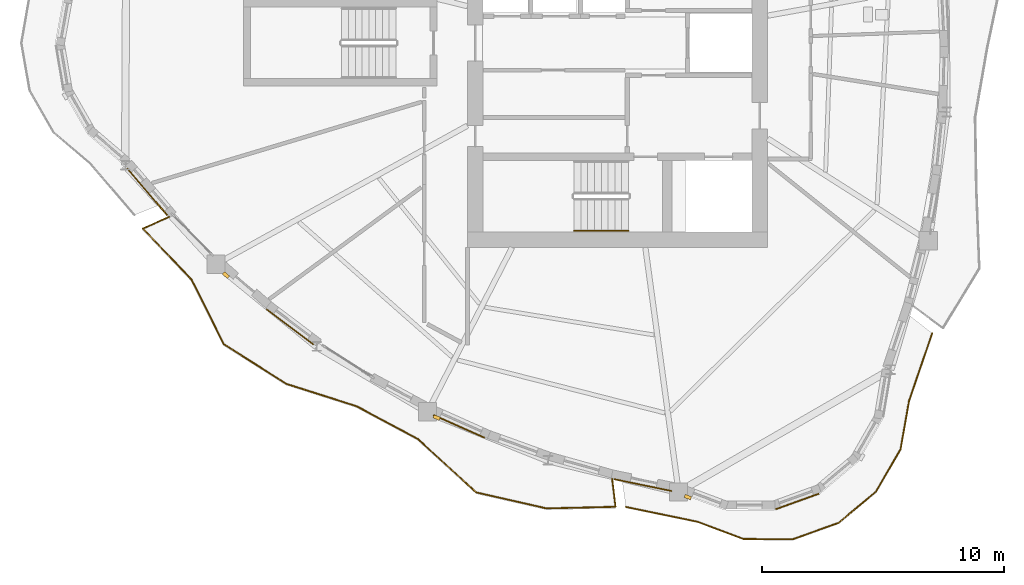
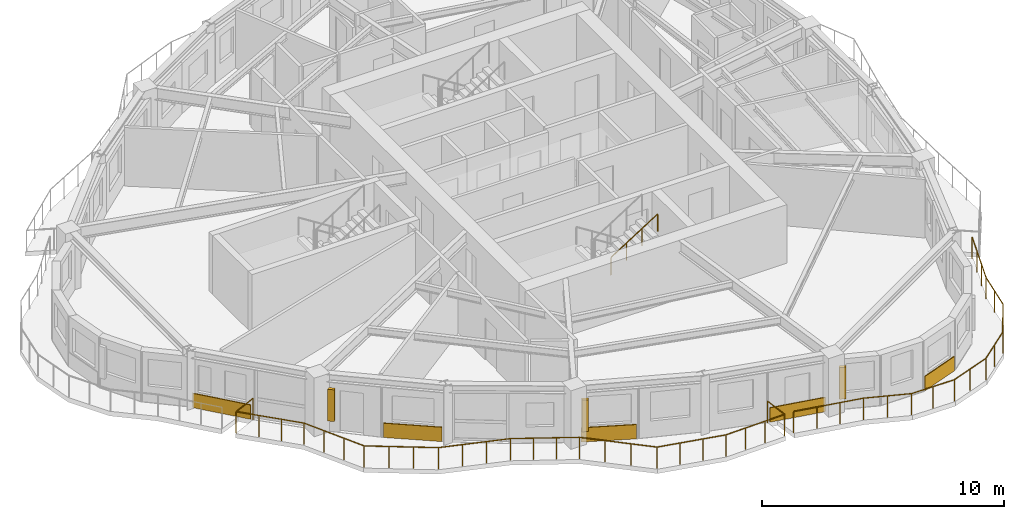
# One storey, part 10 of 13: 5 coverings, 3 railings, 3 shading devices.
"""IFC4 building model written with IfcOpenShell, lengths in metres."""

import ifcopenshell
import ifcopenshell.guid

model = None  # the IFC model being written
_history = None  # IfcOwnerHistory: only IFC2X3 demands one
_inside = {}  # id of a spatial element -> (the spatial element, [elements in it])
_under = {}  # id of a project, library or spatial element -> (it, [spatial elements below it])
_declared = {}  # id of a project -> (the project, [libraries it declares])
_typed = {}  # id of a type object -> (the type object, [elements of that type])
_made_of = {}  # id of a material, layer set ... -> (it, [elements and type objects made of it])


def new_model(schema):
    """Start an empty IFC model of exactly this schema.

    Asked for "IFC4X3", IfcOpenShell would pick the latest addendum, in which some entities
    have other attributes; the version numbers below select the first issue.
    IFC2X3 requires an IfcOwnerHistory on every rooted entity: one is made here for all.
    """
    global model, _history
    if schema == "IFC4X3":
        model = ifcopenshell.file(schema_version=(4, 3, 0, 0))
    else:
        model = ifcopenshell.file(schema=schema)
    _inside.clear()
    _under.clear()
    _declared.clear()
    _typed.clear()
    _made_of.clear()
    _history = None
    if model.schema == "IFC2X3":
        org = make("IfcOrganization", Name="unknown")
        user = make(
            "IfcPersonAndOrganization",
            ThePerson=make("IfcPerson", FamilyName="unknown"),
            TheOrganization=org,
        )
        app = make(
            "IfcApplication",
            ApplicationDeveloper=org,
            Version="unknown",
            ApplicationFullName="unknown",
            ApplicationIdentifier="unknown",
        )
        _history = make(
            "IfcOwnerHistory",
            OwningUser=user,
            OwningApplication=app,
            ChangeAction="ADDED",
            CreationDate=0,
        )
    return model


def make(cls, **values):
    """One entity of the class cls with the attributes given. An attribute that is None is left unset."""
    return model.create_entity(
        cls, **{name: value for name, value in values.items() if value is not None}
    )


def rooted(cls, **values):
    """An entity with a GlobalId (a new one), such as an element, a storey or a relation."""
    return make(cls, GlobalId=ifcopenshell.guid.new(), OwnerHistory=_history, **values)


def si_unit(unit_type, name, prefix=None):
    """IfcSIUnit, for example si_unit("LENGTHUNIT", "METRE", prefix="MILLI")."""
    return make("IfcSIUnit", UnitType=unit_type, Prefix=prefix, Name=name)


def assignment(units):
    """IfcUnitAssignment: the units of a project."""
    return None if units is None else make("IfcUnitAssignment", Units=units)


def point(xyz):
    """IfcCartesianPoint."""
    return None if xyz is None else make("IfcCartesianPoint", Coordinates=xyz)


def direction(xyz):
    """IfcDirection."""
    return None if xyz is None else make("IfcDirection", DirectionRatios=xyz)


def frame(location, z_axis=None, x_axis=None):
    """IfcAxis2Placement3D, a coordinate frame: its origin and axes. An axis left out is left unset."""
    return make(
        "IfcAxis2Placement3D",
        Location=point(location),
        Axis=direction(z_axis),
        RefDirection=direction(x_axis),
    )


def frame_2d(location, x_axis=None):
    """IfcAxis2Placement2D, a coordinate frame in the plane: its origin and x axis."""
    return make(
        "IfcAxis2Placement2D", Location=point(location), RefDirection=direction(x_axis)
    )


def origin():
    """The frame at (0, 0, 0) with its axes left unset."""
    return frame((0.0, 0.0, 0.0))


def origin_2d():
    """The frame at (0, 0) in the plane with its x axis left unset."""
    return frame_2d((0.0, 0.0))


def place(relative_to, where):
    """IfcLocalPlacement: puts the frame where relative to a parent placement (None: the world)."""
    return make(
        "IfcLocalPlacement", PlacementRelTo=relative_to, RelativePlacement=where
    )


def context(
    kind, dimensions, precision=None, world=None, true_north=None, identifier=None
):
    """IfcGeometricRepresentationContext, for example the 3D "Model" context."""
    return make(
        "IfcGeometricRepresentationContext",
        ContextIdentifier=identifier,
        ContextType=kind,
        CoordinateSpaceDimension=dimensions,
        Precision=precision,
        WorldCoordinateSystem=world,
        TrueNorth=true_north,
    )


def subcontext(parent, identifier, kind, view, scale=None):
    """IfcGeometricRepresentationSubContext, for example "Body" below "Model"."""
    return make(
        "IfcGeometricRepresentationSubContext",
        ContextIdentifier=identifier,
        ContextType=kind,
        ParentContext=parent,
        TargetScale=scale,
        TargetView=view,
    )


def project(units=None, contexts=None):
    """IfcProject with its units and contexts."""
    return rooted(
        "IfcProject",
        Name="project",
        RepresentationContexts=contexts,
        UnitsInContext=assignment(units),
    )


def spatial(cls, under=None, at=None, **own):
    """A site, building, storey or space (cls), placed at a placement, below another one or the project."""
    s = rooted(cls, ObjectPlacement=at, **own)
    if under is not None:
        _under.setdefault(under.id(), (under, []))[1].append(s)
    return s


def profile(cls, at=None, kind="AREA", **sizes):
    """A parametric profile (cls). Its sizes go by their IFC names, for example OverallWidth=200.0."""
    return make(cls, ProfileType=kind, Position=at, **sizes)


def rectangle(**sizes):
    """IfcRectangleProfileDef."""
    return profile("IfcRectangleProfileDef", **sizes)


def circle(**sizes):
    """IfcCircleProfileDef."""
    return profile("IfcCircleProfileDef", **sizes)


def extrude(swept, where, along, depth):
    """IfcExtrudedAreaSolid: the profile swept, set in the frame where, extruded along a direction by depth."""
    return make(
        "IfcExtrudedAreaSolid",
        SweptArea=swept,
        Position=where,
        ExtrudedDirection=direction(along),
        Depth=depth,
    )


def shape(context_of_items, identifier, shape_type, items):
    """IfcShapeRepresentation: the items that make up one representation, for example the "Body"."""
    return make(
        "IfcShapeRepresentation",
        ContextOfItems=context_of_items,
        RepresentationIdentifier=identifier,
        RepresentationType=shape_type,
        Items=items,
    )


def source(mapping_origin, context_of_items, identifier, shape_type, items):
    """IfcRepresentationMap: a shape defined once, which mapped items show again and again."""
    return make(
        "IfcRepresentationMap",
        MappingOrigin=mapping_origin,
        MappedRepresentation=shape(context_of_items, identifier, shape_type, items),
    )


def transform(
    local_origin,
    x_axis=None,
    y_axis=None,
    z_axis=None,
    scale=None,
    scale2=None,
    scale3=None,
    uniform=True,
):
    """IfcCartesianTransformationOperator3D, or its non-uniform kind. x_axis, y_axis, z_axis: its Axis1, 2, 3."""
    if uniform:
        return make(
            "IfcCartesianTransformationOperator3D",
            Axis1=direction(x_axis),
            Axis2=direction(y_axis),
            LocalOrigin=point(local_origin),
            Scale=scale,
            Axis3=direction(z_axis),
        )
    return make(
        "IfcCartesianTransformationOperator3DnonUniform",
        Axis1=direction(x_axis),
        Axis2=direction(y_axis),
        LocalOrigin=point(local_origin),
        Scale=scale,
        Axis3=direction(z_axis),
        Scale2=scale2,
        Scale3=scale3,
    )


def mapped(mapping_source, mapping_target):
    """IfcMappedItem: shows the shape of a source again, moved by a transform."""
    return make(
        "IfcMappedItem", MappingSource=mapping_source, MappingTarget=mapping_target
    )


def material(Name=None, Category=None):
    """IfcMaterial."""
    return make("IfcMaterial", Name=Name, Category=Category)


def layer(
    of_material, thickness, ventilated=None, Name=None, Category=None, Priority=None
):
    """IfcMaterialLayer: one layer of a wall or slab, of a material (None: an air gap)."""
    return make(
        "IfcMaterialLayer",
        Material=of_material,
        LayerThickness=thickness,
        IsVentilated=ventilated,
        Name=Name,
        Category=Category,
        Priority=Priority,
    )


def layer_set(layers, Name=None):
    """IfcMaterialLayerSet."""
    return make("IfcMaterialLayerSet", MaterialLayers=layers, LayerSetName=Name)


def made_of(thing, what):
    """Note that an element or type object is made of a material, layer set ...; save() writes the relation."""
    if what is not None:
        _made_of.setdefault(what.id(), (what, []))[1].append(thing)
    return thing


def type_object(cls, material=None, **own):
    """A type object (cls), such as IfcWallType, which elements share."""
    return made_of(rooted(cls, **own), material)


def element(
    cls,
    number,
    at=None,
    inside=None,
    cuts=None,
    type_object=None,
    material=None,
    context=None,
    identifier="Body",
    shape_type=None,
    held_by="IfcProductDefinitionShape",
    body=None,
    shapes=None,
    **own,
):
    """One element of the class cls, such as IfcWall. Its Tag is "e" and its number.

    at: its placement. inside: the storey or other place that contains it. cuts: it is an
    opening in that element (IfcRelVoidsElement). A single representation is given by context,
    identifier, shape_type and body (its items); several are given by shapes. held_by: the class
    of the entity that holds the representations. save() writes the other relations.
    """
    e = rooted(cls, Tag="e%d" % number, ObjectPlacement=at, **own)
    if body is not None:
        shapes = [shape(context, identifier, shape_type, body)]
    if shapes is not None:
        e.Representation = make(held_by, Representations=shapes)
    if inside is not None:
        _inside.setdefault(inside.id(), (inside, []))[1].append(e)
    if cuts is not None:
        rooted(
            "IfcRelVoidsElement", RelatingBuildingElement=cuts, RelatedOpeningElement=e
        )
    if type_object is not None:
        _typed.setdefault(type_object.id(), (type_object, []))[1].append(e)
    return made_of(e, material)


def aggregate(whole, parts):
    """IfcRelAggregates: a whole, such as a stair, and the parts it consists of."""
    return rooted("IfcRelAggregates", RelatingObject=whole, RelatedObjects=parts)


def save(model, path):
    """Write the relations noted so far, then the file.

    IfcRelAggregates (storeys below a building ...), IfcRelContainedInSpatialStructure (elements
    in a storey), IfcRelDefinesByType, IfcRelAssociatesMaterial and IfcRelDeclares: one each for
    every whole, place, type object, material and project.
    """
    for whole, parts in _under.values():
        aggregate(whole, parts)
    for where, things in _inside.values():
        rooted(
            "IfcRelContainedInSpatialStructure",
            RelatedElements=things,
            RelatingStructure=where,
        )
    for kind, things in _typed.values():
        rooted("IfcRelDefinesByType", RelatedObjects=things, RelatingType=kind)
    for what, things in _made_of.values():
        rooted("IfcRelAssociatesMaterial", RelatedObjects=things, RelatingMaterial=what)
    for by, libraries in _declared.values():
        rooted("IfcRelDeclares", RelatingContext=by, RelatedDefinitions=libraries)
    model.write(path)


model = new_model("IFC4")

# Units and contexts
model_context = context("Model", 3, precision=1e-05, world=origin(), true_north=direction((0.0, 1.0)))
body_context = subcontext(model_context, "Body", "Model", "MODEL_VIEW")
ifc_project = project(units=[si_unit("LENGTHUNIT", "METRE"), si_unit("AREAUNIT", "SQUARE_METRE"), si_unit("VOLUMEUNIT", "CUBIC_METRE"), si_unit("PLANEANGLEUNIT", "RADIAN"), si_unit("MASSUNIT", "GRAM", prefix="KILO")], contexts=[model_context])

# Site, building, storey
site_placement = place(None, origin())
site = spatial("IfcSite", under=ifc_project, at=site_placement, CompositionType="ELEMENT")
building_placement = place(site_placement, origin())
building = spatial("IfcBuilding", under=site, at=building_placement, Name="Qafzar Sky-Pleat Residences", CompositionType="ELEMENT")
storey_placement = place(building_placement, frame((0.0, 0.0, 133.0)))
storey = spatial("IfcBuildingStorey", under=building, at=storey_placement, Name="L39", CompositionType="ELEMENT", Elevation=133.0)

# Shading devices
ifc_material_1 = material(Name="Honed Riyadh limestone solar fin", Category="masonry")
ifc_layer_1 = layer(ifc_material_1, 0.139892578125)
ifc_layer_set_1 = layer_set([ifc_layer_1], Name="Honed Riyadh limestone solar fin")
shading_device_type = type_object("IfcShadingDeviceType", Name="SHD-FIN-STONE", PredefinedType="SHUTTER", material=ifc_layer_set_1)
shared_shape_1 = source(origin(), body_context, "Body", "SweptSolid", [
    extrude(rectangle(XDim=0.139892578125, YDim=0.280029296875, at=origin_2d()), origin(), (0.0, 0.0, 1.0), 1.60009765625),
])
for number, where, z_axis, x_axis, name in (
    (1, (14.178955078125, 16.413330078125, 0.599853515625), (0.0, 0.0, 1.0), (-0.660132960779, -0.751148769615, 0.0), "L39 Limestone Solar Fin 9"),
    (2, (22.881591796875, 10.528564453125, 0.599853515625), (0.0, 0.0, 1.0), (-0.407475255667, -0.913216248223, 0.0), "L39 Limestone Solar Fin 13"),
    (3, (33.251220703125, 7.247802734375, 0.599853515625), (0.0, 0.0, 1.0), (-0.349548623526, -0.936918224709, 0.0), "L39 Limestone Solar Fin 17"),
):
    element("IfcShadingDevice", number, at=place(storey_placement, frame(where, z_axis=z_axis, x_axis=x_axis)), inside=storey, type_object=shading_device_type, Name=name, PredefinedType="SHUTTER", context=body_context, shape_type="MappedRepresentation", body=[
        mapped(shared_shape_1, transform((0.0, 0.0, 0.0), x_axis=(1.0, 0.0, 0.0), y_axis=(0.0, 1.0, 0.0), z_axis=(0.0, 0.0, 1.0), scale=1.0)),
    ])

# Railings
ifc_material_2 = material(Name="Laminated glass and bronze steel balustrade", Category="steel")
railing_type_1 = type_object("IfcRailingType", Name="RAIL-BAL-1100", PredefinedType="BALUSTRADE", material=ifc_material_2)
shared_shape_2 = source(origin(), body_context, "Body", "SweptSolid", [
    extrude(circle(Radius=0.02392578125, at=origin_2d()), frame((0.0, 0.0, 1.076171875), z_axis=(-0.913854279683, -0.40604230753, 0.0), x_axis=(0.40604230753, -0.913854279683, 0.0)), (0.0, 0.0, 1.0), 1.177978515625),
    extrude(circle(Radius=0.02392578125, at=origin_2d()), frame((-1.076416015625, -0.478271484375, 1.076171875), z_axis=(0.689122792825, -0.724644586269, 0.0), x_axis=(0.724644586269, 0.689122792825, 0.0)), (0.0, 0.0, 1.0), 2.9208984375),
    extrude(circle(Radius=0.02392578125, at=origin_2d()), frame((0.9365234375, -2.594970703125, 1.076171875), z_axis=(0.446688581475, -0.89468950546, 0.0), x_axis=(0.89468950546, 0.446688581475, 0.0)), (0.0, 0.0, 1.0), 2.9765625),
    extrude(circle(Radius=0.02392578125, at=origin_2d()), frame((2.26611328125, -5.258056640625, 1.076171875), z_axis=(0.844789039348, -0.535099503829, 0.0), x_axis=(0.535099503829, 0.844789039348, 0.0)), (0.0, 0.0, 1.0), 3.06201171875),
    extrude(circle(Radius=0.02392578125, at=origin_2d()), frame((4.852783203125, -6.896484375, 1.076171875), z_axis=(0.952897316777, -0.303293098635, 0.0), x_axis=(0.303293098635, 0.952897316777, 0.0)), (0.0, 0.0, 1.0), 3.0419921875),
    extrude(circle(Radius=0.02392578125, at=origin_2d()), frame((7.75146484375, -7.819091796875, 1.076171875), z_axis=(0.881975846581, -0.471294606428, 0.0), x_axis=(0.471294606428, 0.881975846581, 0.0)), (0.0, 0.0, 1.0), 2.851806640625),
    extrude(circle(Radius=0.02392578125, at=origin_2d()), frame((10.2666015625, -9.1630859375, 1.076171875), z_axis=(0.73837595061, -0.674389320468, 0.0), x_axis=(0.674389320468, 0.73837595061, 0.0)), (0.0, 0.0, 1.0), 3.28125),
    extrude(circle(Radius=0.02392578125, at=origin_2d()), frame((12.689453125, -11.3759765625, 1.076171875), z_axis=(0.97508449736, -0.221833773369, 0.0), x_axis=(0.221833773369, 0.97508449736, 0.0)), (0.0, 0.0, 1.0), 2.97705078125),
    extrude(circle(Radius=0.02392578125, at=origin_2d()), frame((15.59228515625, -12.036376953125, 1.076171875), z_axis=(0.999727601991, 0.023339276263, 0.0), x_axis=(-0.023339276263, 0.999727601991, 0.0)), (0.0, 0.0, 1.0), 2.84521484375),
    extrude(circle(Radius=0.02392578125, at=origin_2d()), frame((18.436767578125, -11.969970703125, 1.076171875), z_axis=(-0.117526723313, 0.993069720265, 0.0), x_axis=(-0.993069720265, -0.117526723313, 0.0)), (0.0, 0.0, 1.0), 1.177734375),
    extrude(circle(Radius=0.02099609375, at=origin_2d()), origin(), (0.0, 0.0, 1.0), 1.052001953125),
    extrude(circle(Radius=0.02099609375, at=origin_2d()), frame((-1.076416015625, -0.478271484375, 0.0)), (0.0, 0.0, 1.0), 1.052001953125),
    extrude(circle(Radius=0.02099609375, at=origin_2d()), frame((-0.405517578125, -1.183837890625, 0.0)), (0.0, 0.0, 1.0), 1.052001953125),
    extrude(circle(Radius=0.02099609375, at=origin_2d()), frame((0.265625, -1.889404296875, 0.0)), (0.0, 0.0, 1.0), 1.052001953125),
    extrude(circle(Radius=0.02099609375, at=origin_2d()), frame((0.9365234375, -2.594970703125, 0.0)), (0.0, 0.0, 1.0), 1.052001953125),
    extrude(circle(Radius=0.02099609375, at=origin_2d()), frame((1.379638671875, -3.482666015625, 0.0)), (0.0, 0.0, 1.0), 1.052001953125),
    extrude(circle(Radius=0.02099609375, at=origin_2d()), frame((1.822998046875, -4.370361328125, 0.0)), (0.0, 0.0, 1.0), 1.052001953125),
    extrude(circle(Radius=0.02099609375, at=origin_2d()), frame((2.26611328125, -5.258056640625, 0.0)), (0.0, 0.0, 1.0), 1.052001953125),
    extrude(circle(Radius=0.02099609375, at=origin_2d()), frame((3.12841796875, -5.80419921875, 0.0)), (0.0, 0.0, 1.0), 1.052001953125),
    extrude(circle(Radius=0.02099609375, at=origin_2d()), frame((3.990478515625, -6.350341796875, 0.0)), (0.0, 0.0, 1.0), 1.052001953125),
    extrude(circle(Radius=0.02099609375, at=origin_2d()), frame((4.852783203125, -6.896484375, 0.0)), (0.0, 0.0, 1.0), 1.052001953125),
    extrude(circle(Radius=0.02099609375, at=origin_2d()), frame((5.819091796875, -7.2041015625, 0.0)), (0.0, 0.0, 1.0), 1.052001953125),
    extrude(circle(Radius=0.02099609375, at=origin_2d()), frame((6.78515625, -7.511474609375, 0.0)), (0.0, 0.0, 1.0), 1.052001953125),
    extrude(circle(Radius=0.02099609375, at=origin_2d()), frame((7.75146484375, -7.819091796875, 0.0)), (0.0, 0.0, 1.0), 1.052001953125),
    extrude(circle(Radius=0.02099609375, at=origin_2d()), frame((8.58984375, -8.26708984375, 0.0)), (0.0, 0.0, 1.0), 1.052001953125),
    extrude(circle(Radius=0.02099609375, at=origin_2d()), frame((9.42822265625, -8.715087890625, 0.0)), (0.0, 0.0, 1.0), 1.052001953125),
    extrude(circle(Radius=0.02099609375, at=origin_2d()), frame((10.2666015625, -9.1630859375, 0.0)), (0.0, 0.0, 1.0), 1.052001953125),
    extrude(circle(Radius=0.02099609375, at=origin_2d()), frame((11.07421875, -9.900634765625, 0.0)), (0.0, 0.0, 1.0), 1.052001953125),
    extrude(circle(Radius=0.02099609375, at=origin_2d()), frame((11.8818359375, -10.638427734375, 0.0)), (0.0, 0.0, 1.0), 1.052001953125),
    extrude(circle(Radius=0.02099609375, at=origin_2d()), frame((12.689453125, -11.3759765625, 0.0)), (0.0, 0.0, 1.0), 1.052001953125),
    extrude(circle(Radius=0.02099609375, at=origin_2d()), frame((13.656982421875, -11.59619140625, 0.0)), (0.0, 0.0, 1.0), 1.052001953125),
    extrude(circle(Radius=0.02099609375, at=origin_2d()), frame((14.624755859375, -11.816162109375, 0.0)), (0.0, 0.0, 1.0), 1.052001953125),
    extrude(circle(Radius=0.02099609375, at=origin_2d()), frame((15.59228515625, -12.036376953125, 0.0)), (0.0, 0.0, 1.0), 1.052001953125),
    extrude(circle(Radius=0.02099609375, at=origin_2d()), frame((16.54052734375, -12.01416015625, 0.0)), (0.0, 0.0, 1.0), 1.052001953125),
    extrude(circle(Radius=0.02099609375, at=origin_2d()), frame((17.488525390625, -11.9921875, 0.0)), (0.0, 0.0, 1.0), 1.052001953125),
    extrude(circle(Radius=0.02099609375, at=origin_2d()), frame((18.436767578125, -11.969970703125, 0.0)), (0.0, 0.0, 1.0), 1.052001953125),
    extrude(circle(Radius=0.02099609375, at=origin_2d()), frame((18.29833984375, -10.80029296875, 0.0)), (0.0, 0.0, 1.0), 1.052001953125),
])
railing_1_placement = place(storey_placement, frame((11.8291015625, 18.81396484375, 0.0)))
element("IfcRailing", 4, at=railing_1_placement, inside=storey, type_object=railing_type_1, Name="L39 Pleated Balcony 3 Balustrade", PredefinedType="BALUSTRADE", context=body_context, shape_type="MappedRepresentation", body=[
    mapped(shared_shape_2, transform((0.0, 0.0, 0.0), x_axis=(1.0, 0.0, 0.0), y_axis=(0.0, 1.0, 0.0), z_axis=(0.0, 0.0, 1.0), scale=1.0)),
])
shared_shape_3 = source(origin(), body_context, "Body", "SweptSolid", [
    extrude(circle(Radius=0.02392578125, at=origin_2d()), frame((0.0, 0.0, 1.076171875), z_axis=(-0.322722588536, -0.946493597891, 0.0), x_axis=(0.946493597891, -0.322722588536, 0.0)), (0.0, 0.0, 1.0), 2.96240234375),
    extrude(circle(Radius=0.02392578125, at=origin_2d()), frame((-0.9560546875, -2.803955078125, 1.076171875), z_axis=(-0.173309589491, -0.984867395232, 0.0), x_axis=(0.984867395232, -0.173309589491, 0.0)), (0.0, 0.0, 1.0), 2.02001953125),
    extrude(circle(Radius=0.02392578125, at=origin_2d()), frame((-1.30615234375, -4.79345703125, 1.076171875), z_axis=(-0.501312693302, -0.865266192298, 0.0), x_axis=(0.865266192298, -0.501312693302, 0.0)), (0.0, 0.0, 1.0), 2.01904296875),
    extrude(circle(Radius=0.02392578125, at=origin_2d()), frame((-2.318359375, -6.54052734375, 1.076171875), z_axis=(-0.768290663171, -0.640101130201, 0.0), x_axis=(0.640101130201, -0.768290663171, 0.0)), (0.0, 0.0, 1.0), 2.018798828125),
    extrude(circle(Radius=0.02392578125, at=origin_2d()), frame((-3.869384765625, -7.832763671875, 1.076171875), z_axis=(-0.941615983552, -0.336688787337, 0.0), x_axis=(0.336688787337, -0.941615983552, 0.0)), (0.0, 0.0, 1.0), 2.018798828125),
    extrude(circle(Radius=0.02392578125, at=origin_2d()), frame((-5.770263671875, -8.512451171875, 1.076171875), z_axis=(-0.999970985093, 0.007617674977, 0.0), x_axis=(-0.007617674977, -0.999970985093, 0.0)), (0.0, 0.0, 1.0), 2.01904296875),
    extrude(circle(Radius=0.02392578125, at=origin_2d()), frame((-7.789306640625, -8.4970703125, 1.076171875), z_axis=(-0.936349041893, 0.351070465501, 0.0), x_axis=(-0.351070465501, -0.936349041893, 0.0)), (0.0, 0.0, 1.0), 2.020263671875),
    extrude(circle(Radius=0.02392578125, at=origin_2d()), frame((-9.680908203125, -7.787841796875, 1.076171875), z_axis=(-0.9792427928, 0.202690781116, 0.0), x_axis=(-0.202690781116, -0.9792427928, 0.0)), (0.0, 0.0, 1.0), 3.032958984375),
    extrude(circle(Radius=0.02099609375, at=origin_2d()), origin(), (0.0, 0.0, 1.0), 1.052001953125),
    extrude(circle(Radius=0.02099609375, at=origin_2d()), frame((-0.318603515625, -0.9345703125, 0.0)), (0.0, 0.0, 1.0), 1.052001953125),
    extrude(circle(Radius=0.02099609375, at=origin_2d()), frame((-0.637451171875, -1.869384765625, 0.0)), (0.0, 0.0, 1.0), 1.052001953125),
    extrude(circle(Radius=0.02099609375, at=origin_2d()), frame((-0.9560546875, -2.803955078125, 0.0)), (0.0, 0.0, 1.0), 1.052001953125),
    extrude(circle(Radius=0.02099609375, at=origin_2d()), frame((-1.131103515625, -3.798828125, 0.0)), (0.0, 0.0, 1.0), 1.052001953125),
    extrude(circle(Radius=0.02099609375, at=origin_2d()), frame((-1.30615234375, -4.79345703125, 0.0)), (0.0, 0.0, 1.0), 1.052001953125),
    extrude(circle(Radius=0.02099609375, at=origin_2d()), frame((-1.812255859375, -5.6669921875, 0.0)), (0.0, 0.0, 1.0), 1.052001953125),
    extrude(circle(Radius=0.02099609375, at=origin_2d()), frame((-2.318359375, -6.54052734375, 0.0)), (0.0, 0.0, 1.0), 1.052001953125),
    extrude(circle(Radius=0.02099609375, at=origin_2d()), frame((-3.09375, -7.1865234375, 0.0)), (0.0, 0.0, 1.0), 1.052001953125),
    extrude(circle(Radius=0.02099609375, at=origin_2d()), frame((-3.869384765625, -7.832763671875, 0.0)), (0.0, 0.0, 1.0), 1.052001953125),
    extrude(circle(Radius=0.02099609375, at=origin_2d()), frame((-4.81982421875, -8.172607421875, 0.0)), (0.0, 0.0, 1.0), 1.052001953125),
    extrude(circle(Radius=0.02099609375, at=origin_2d()), frame((-5.770263671875, -8.512451171875, 0.0)), (0.0, 0.0, 1.0), 1.052001953125),
    extrude(circle(Radius=0.02099609375, at=origin_2d()), frame((-6.77978515625, -8.5048828125, 0.0)), (0.0, 0.0, 1.0), 1.052001953125),
    extrude(circle(Radius=0.02099609375, at=origin_2d()), frame((-7.789306640625, -8.4970703125, 0.0)), (0.0, 0.0, 1.0), 1.052001953125),
    extrude(circle(Radius=0.02099609375, at=origin_2d()), frame((-8.735107421875, -8.142578125, 0.0)), (0.0, 0.0, 1.0), 1.052001953125),
    extrude(circle(Radius=0.02099609375, at=origin_2d()), frame((-9.680908203125, -7.787841796875, 0.0)), (0.0, 0.0, 1.0), 1.052001953125),
    extrude(circle(Radius=0.02099609375, at=origin_2d()), frame((-10.6708984375, -7.5830078125, 0.0)), (0.0, 0.0, 1.0), 1.052001953125),
    extrude(circle(Radius=0.02099609375, at=origin_2d()), frame((-11.660888671875, -7.3779296875, 0.0)), (0.0, 0.0, 1.0), 1.052001953125),
    extrude(circle(Radius=0.02099609375, at=origin_2d()), frame((-12.65087890625, -7.173095703125, 0.0)), (0.0, 0.0, 1.0), 1.052001953125),
])
railing_2_placement = place(storey_placement, frame((43.34375, 14.01220703125, 0.0)))
element("IfcRailing", 5, at=railing_2_placement, inside=storey, type_object=railing_type_1, Name="L39 Corner Terrace 3 Balustrade", PredefinedType="BALUSTRADE", context=body_context, shape_type="MappedRepresentation", body=[
    mapped(shared_shape_3, transform((0.0, 0.0, 0.0), x_axis=(1.0, 0.0, 0.0), y_axis=(0.0, 1.0, 0.0), z_axis=(0.0, 0.0, 1.0), scale=1.0)),
])

# Coverings
ifc_material_3 = material(Name="Honed Riyadh Tuwaiq limestone cladding", Category="masonry")
ifc_layer_2 = layer(ifc_material_3, 0.044921875)
ifc_layer_set_2 = layer_set([ifc_layer_2], Name="Honed Riyadh Tuwaiq limestone cladding")
covering_type = type_object("IfcCoveringType", Name="COV-CLAD-STONE", PredefinedType="CLADDING", material=ifc_layer_set_2)
shared_shape_4 = source(origin(), body_context, "Body", "SweptSolid", [
    extrude(rectangle(XDim=2.540771484375, YDim=0.044921875, at=origin_2d()), origin(), (0.0, 0.0, 1.0), 0.719970703125),
])
covering_1_placement = place(storey_placement, frame((10.93017578125, 19.847900390625, 0.02001953125), z_axis=(0.0, 0.0, 1.0), x_axis=(0.650356635894, -0.759629018764, 0.0)))
element("IfcCovering", 6, at=covering_1_placement, inside=storey, type_object=covering_type, Name="L39 Riyadh Limestone Spandrel Cladding 7", PredefinedType="CLADDING", context=body_context, shape_type="MappedRepresentation", body=[
    mapped(shared_shape_4, transform((0.0, 0.0, 0.0), x_axis=(1.0, 0.0, 0.0), y_axis=(0.0, 1.0, 0.0), z_axis=(0.0, 0.0, 1.0), scale=1.0)),
])
shared_shape_5 = source(origin(), body_context, "Body", "SweptSolid", [
    extrude(rectangle(XDim=2.42041015625, YDim=0.044921875, at=origin_2d()), origin(), (0.0, 0.0, 1.0), 0.719970703125),
])
covering_2_placement = place(storey_placement, frame((16.825927734375, 14.2734375, 0.02001953125), z_axis=(0.0, 0.0, 1.0), x_axis=(0.798068371718, -0.602566904222, 0.0)))
element("IfcCovering", 7, at=covering_2_placement, inside=storey, type_object=covering_type, Name="L39 Riyadh Limestone Spandrel Cladding 10", PredefinedType="CLADDING", context=body_context, shape_type="MappedRepresentation", body=[
    mapped(shared_shape_5, transform((0.0, 0.0, 0.0), x_axis=(1.0, 0.0, 0.0), y_axis=(0.0, 1.0, 0.0), z_axis=(0.0, 0.0, 1.0), scale=1.0)),
])
shared_shape_6 = source(origin(), body_context, "Body", "SweptSolid", [
    extrude(rectangle(XDim=2.298828125, YDim=0.044921875, at=origin_2d()), origin(), (0.0, 0.0, 1.0), 0.719970703125),
])
covering_3_placement = place(storey_placement, frame((23.798583984375, 10.16650390625, 0.02001953125), z_axis=(0.0, 0.0, 1.0), x_axis=(0.913222957215, -0.407460219427, 0.0)))
element("IfcCovering", 8, at=covering_3_placement, inside=storey, type_object=covering_type, Name="L39 Riyadh Limestone Spandrel Cladding 13", PredefinedType="CLADDING", context=body_context, shape_type="MappedRepresentation", body=[
    mapped(shared_shape_6, transform((0.0, 0.0, 0.0), x_axis=(1.0, 0.0, 0.0), y_axis=(0.0, 1.0, 0.0), z_axis=(0.0, 0.0, 1.0), scale=1.0)),
])
shared_shape_7 = source(origin(), body_context, "Body", "SweptSolid", [
    extrude(rectangle(XDim=2.41943359375, YDim=0.044921875, at=origin_2d()), origin(), (0.0, 0.0, 1.0), 0.719970703125),
])
covering_4_placement = place(storey_placement, frame((31.400634765625, 7.739990234375, 0.02001953125), z_axis=(0.0, 0.0, 1.0), x_axis=(0.979325013532, -0.202293148352, 0.0)))
element("IfcCovering", 9, at=covering_4_placement, inside=storey, type_object=covering_type, Name="L39 Riyadh Limestone Spandrel Cladding 16", PredefinedType="CLADDING", context=body_context, shape_type="MappedRepresentation", body=[
    mapped(shared_shape_7, transform((0.0, 0.0, 0.0), x_axis=(1.0, 0.0, 0.0), y_axis=(0.0, 1.0, 0.0), z_axis=(0.0, 0.0, 1.0), scale=1.0)),
])
shared_shape_8 = source(origin(), body_context, "Body", "SweptSolid", [
    extrude(rectangle(XDim=1.897705078125, YDim=0.044921875, at=origin_2d()), origin(), (0.0, 0.0, 1.0), 0.719970703125),
])
covering_5_placement = place(storey_placement, frame((37.773193359375, 7.063232421875, 0.02001953125), z_axis=(0.0, 0.0, 1.0), x_axis=(0.940241244016, 0.340509035199, 0.0)))
element("IfcCovering", 10, at=covering_5_placement, inside=storey, type_object=covering_type, Name="L39 Riyadh Limestone Spandrel Cladding 19", PredefinedType="CLADDING", context=body_context, shape_type="MappedRepresentation", body=[
    mapped(shared_shape_8, transform((0.0, 0.0, 0.0), x_axis=(1.0, 0.0, 0.0), y_axis=(0.0, 1.0, 0.0), z_axis=(0.0, 0.0, 1.0), scale=1.0)),
])

# Railing
ifc_material_4 = material(Name="Brushed stainless steel handrail", Category="steel")
railing_type_2 = type_object("IfcRailingType", Name="RAIL-STAIR-HAND", PredefinedType="HANDRAIL", material=ifc_material_4)
shared_shape_9 = source(origin(), body_context, "Body", "SweptSolid", [
    extrude(circle(Radius=0.02392578125, at=origin_2d()), frame((0.0, 0.0, 0.8759765625), z_axis=(0.8442293374, 0.0, 0.53598211339), x_axis=(0.0, 1.0, 0.0)), (0.0, 0.0, 1.0), 2.6533203125),
    extrude(circle(Radius=0.02099609375, at=origin_2d()), origin(), (0.0, 0.0, 1.0), 0.851806640625),
    extrude(circle(Radius=0.02099609375, at=origin_2d()), frame((0.74658203125, 0.0, 0.47412109375)), (0.0, 0.0, 1.0), 0.851806640625),
    extrude(circle(Radius=0.02099609375, at=origin_2d()), frame((1.493408203125, 0.0, 0.947998046875)), (0.0, 0.0, 1.0), 0.851806640625),
    extrude(circle(Radius=0.02099609375, at=origin_2d()), frame((2.239990234375, 0.0, 1.422119140625)), (0.0, 0.0, 1.0), 0.851806640625),
])
railing_3_placement = place(storey_placement, frame((28.56005859375, 18.25, 1.77783203125)))
element("IfcRailing", 11, at=railing_3_placement, inside=storey, type_object=railing_type_2, Name="L39 ST1 stair handrail 2", PredefinedType="HANDRAIL", context=body_context, shape_type="MappedRepresentation", body=[
    mapped(shared_shape_9, transform((0.0, 0.0, 0.0), x_axis=(1.0, 0.0, 0.0), y_axis=(0.0, 1.0, 0.0), z_axis=(0.0, 0.0, 1.0), scale=1.0)),
])

save(model, "model.ifc")
